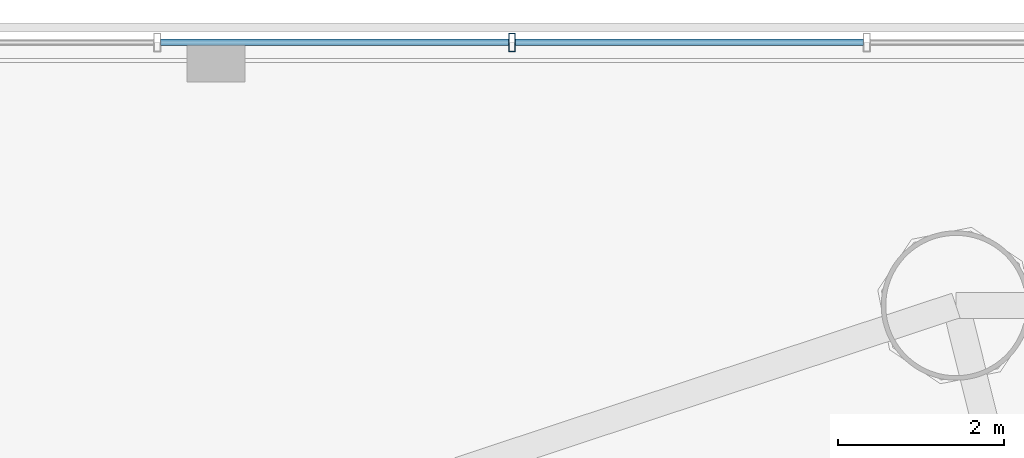
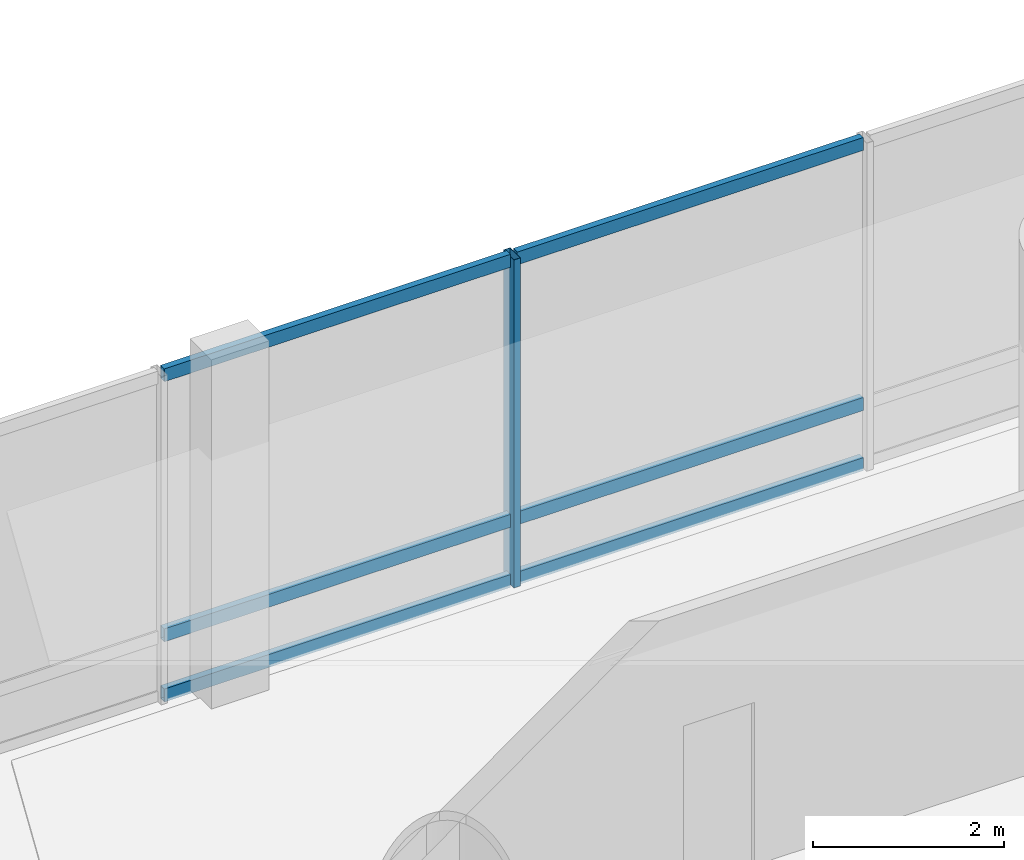
# One storey, part 12 of 36: 7 members, 1 element without a shape of its own.
"""IFC4 building model written with IfcOpenShell, lengths in metres."""

from ifc_helpers import new_model, si_unit, direction, frame, origin, origin_2d, place, context, subcontext, project, spatial, hollow_rectangle, extrude, source, transform, mapped, material, material_profile, profile_set, type_object, element, aggregate, save


model = new_model("IFC4")

# Units and contexts
model_context = context("Model", 3, precision=1e-05, world=origin(), true_north=direction((-0.2419218956, 0.970295726276)))
body_context = subcontext(model_context, "Body", "Model", "MODEL_VIEW")
ifc_project = project(units=[si_unit("LENGTHUNIT", "METRE"), si_unit("AREAUNIT", "SQUARE_METRE"), si_unit("VOLUMEUNIT", "CUBIC_METRE"), si_unit("PLANEANGLEUNIT", "RADIAN"), si_unit("MASSUNIT", "GRAM", prefix="KILO")], contexts=[model_context])

# Site, building, storey
site_placement = place(None, origin())
site = spatial("IfcSite", under=ifc_project, at=site_placement, CompositionType="ELEMENT")
building_placement = place(site_placement, origin())
building = spatial("IfcBuilding", under=site, at=building_placement, Name="Cobrevalo Terracotta Tower", CompositionType="ELEMENT")
storey_placement = place(building_placement, frame((0.0, 0.0, 5.39990234375)))
storey = spatial("IfcBuildingStorey", under=building, at=storey_placement, Name="L01", CompositionType="ELEMENT", Elevation=5.39990234375)

# Curtain wall, members
ifc_material = material(Name="Anodized aluminium", Category="aluminium")
curtain_wall_type = type_object("IfcCurtainWallType", Name="Double-height storefront stick curtain wall CW-S1", PredefinedType="NOTDEFINED", material=ifc_material)
curtain_wall_placement = place(storey_placement, origin())
curtain_wall = element("IfcCurtainWall", 1, at=curtain_wall_placement, inside=storey, type_object=curtain_wall_type, Name="L01 curtain wall CW-POD-L01-N", PredefinedType="NOTDEFINED")
ifc_material_profile_1 = material_profile(ifc_material, hollow_rectangle(XDim=0.080078125, YDim=0.219970703125, WallThickness=0.0048828125, at=origin_2d()), Name="CWM 80x220")
ifc_profile_set_1 = profile_set([ifc_material_profile_1], Name="Anodized aluminium")
member_type_1 = type_object("IfcMemberType", Name="Storefront & atrium aluminium mullion 80x220", PredefinedType="MULLION", material=ifc_profile_set_1)
shared_shape_1 = source(origin(), body_context, "Body", "SweptSolid", [
    extrude(hollow_rectangle(XDim=0.080078125, YDim=0.219970703125, WallThickness=0.0048828125, at=origin_2d()), origin(), (0.0, 0.0, 1.0), 4.2001953125),
])
member_1_placement = place(storey_placement, frame((27.316650390625, 51.39990234375, 0.0), z_axis=(0.0, 0.0, 1.0), x_axis=(-1.0, 0.0, 0.0)))
member_1 = element("IfcMember", 2, at=member_1_placement, type_object=member_type_1, Name="CW-POD-L01-N vertical mullion 11", PredefinedType="MULLION", context=body_context, shape_type="MappedRepresentation", body=[
    mapped(shared_shape_1, transform((0.0, 0.0, 0.0), scale=1.0)),
])
ifc_material_profile_2 = material_profile(ifc_material, hollow_rectangle(XDim=0.080078125, YDim=0.1650390625, WallThickness=0.00439453125, at=origin_2d()), Name="CWT 80x165")
ifc_profile_set_2 = profile_set([ifc_material_profile_2], Name="Anodized aluminium")
member_type_2 = type_object("IfcMemberType", Name="Storefront & atrium aluminium transom 80x165", PredefinedType="USERDEFINED", material=ifc_profile_set_2)
shared_shape_2 = source(origin(), body_context, "Body", "SweptSolid", [
    extrude(hollow_rectangle(XDim=0.080078125, YDim=0.1650390625, WallThickness=0.00439453125, at=origin_2d()), origin(), (0.0, 0.0, 1.0), 4.193359375),
])
member_2_placement = place(storey_placement, frame((31.550048828125, 51.39990234375, 0.050048828125), z_axis=(-1.0, 0.0, 0.0), x_axis=(0.0, -1.0, 0.0)))
member_2 = element("IfcMember", 3, at=member_2_placement, type_object=member_type_2, Name="CW-POD-L01-N transom B10-T1", ObjectType="TRANSOM", PredefinedType="USERDEFINED", context=body_context, shape_type="MappedRepresentation", body=[
    mapped(shared_shape_2, transform((0.0, 0.0, 0.0), scale=1.0)),
])
member_3_placement = place(storey_placement, frame((31.550048828125, 51.39990234375, 0.820068359375), z_axis=(-1.0, 0.0, 0.0), x_axis=(0.0, -1.0, 0.0)))
member_3 = element("IfcMember", 4, at=member_3_placement, type_object=member_type_2, Name="CW-POD-L01-N transom B10-T2", ObjectType="TRANSOM", PredefinedType="USERDEFINED", context=body_context, shape_type="MappedRepresentation", body=[
    mapped(shared_shape_2, transform((0.0, 0.0, 0.0), scale=1.0)),
])
member_4_placement = place(storey_placement, frame((31.550048828125, 51.39990234375, 4.150146484375), z_axis=(-1.0, 0.0, 0.0), x_axis=(0.0, -1.0, 0.0)))
member_4 = element("IfcMember", 5, at=member_4_placement, type_object=member_type_2, Name="CW-POD-L01-N transom B10-T3", ObjectType="TRANSOM", PredefinedType="USERDEFINED", context=body_context, shape_type="MappedRepresentation", body=[
    mapped(shared_shape_2, transform((0.0, 0.0, 0.0), scale=1.0)),
])
member_5_placement = place(storey_placement, frame((27.276611328125, 51.39990234375, 0.050048828125), z_axis=(-1.0, 0.0, 0.0), x_axis=(0.0, -1.0, 0.0)))
member_5 = element("IfcMember", 6, at=member_5_placement, type_object=member_type_2, Name="CW-POD-L01-N transom B11-T1", ObjectType="TRANSOM", PredefinedType="USERDEFINED", context=body_context, shape_type="MappedRepresentation", body=[
    mapped(shared_shape_2, transform((0.0, 0.0, 0.0), scale=1.0)),
])
member_6_placement = place(storey_placement, frame((27.276611328125, 51.39990234375, 0.820068359375), z_axis=(-1.0, 0.0, 0.0), x_axis=(0.0, -1.0, 0.0)))
member_6 = element("IfcMember", 7, at=member_6_placement, type_object=member_type_2, Name="CW-POD-L01-N transom B11-T2", ObjectType="TRANSOM", PredefinedType="USERDEFINED", context=body_context, shape_type="MappedRepresentation", body=[
    mapped(shared_shape_2, transform((0.0, 0.0, 0.0), scale=1.0)),
])
member_7_placement = place(storey_placement, frame((27.276611328125, 51.39990234375, 4.150146484375), z_axis=(-1.0, 0.0, 0.0), x_axis=(0.0, -1.0, 0.0)))
member_7 = element("IfcMember", 8, at=member_7_placement, type_object=member_type_2, Name="CW-POD-L01-N transom B11-T3", ObjectType="TRANSOM", PredefinedType="USERDEFINED", context=body_context, shape_type="MappedRepresentation", body=[
    mapped(shared_shape_2, transform((0.0, 0.0, 0.0), scale=1.0)),
])
aggregate(curtain_wall, [member_1, member_2, member_3, member_4, member_5, member_6, member_7])

save(model, "model.ifc")
